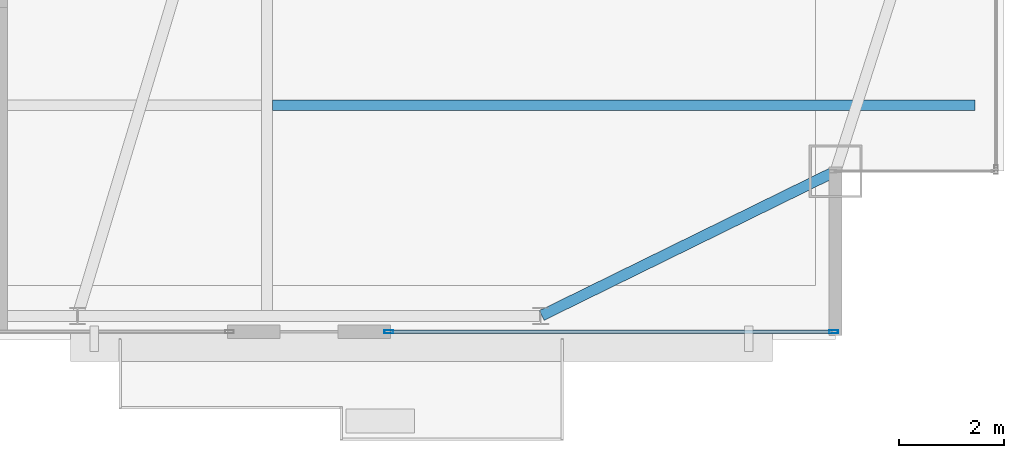
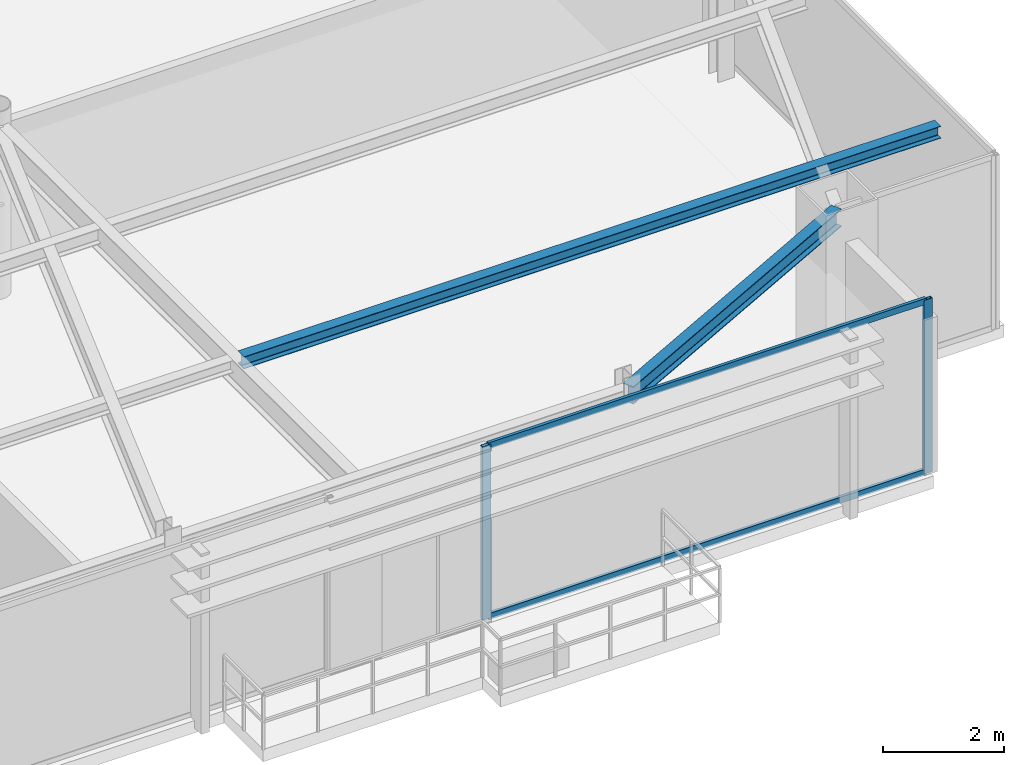
# One storey, part 11 of 21: 4 members, 2 beams, 1 element without a shape of its own.
"""IFC4 building model written with IfcOpenShell, lengths in metres."""

from ifc_helpers import new_model, si_unit, direction, frame, origin, origin_2d, place, context, subcontext, project, spatial, hollow_rectangle, i_section, extrude, source, transform, mapped, material, layer, layer_set, material_profile, profile_set, type_object, type_shapes, element, aggregate, save


model = new_model("IFC4")

# Units and contexts
model_context = context("Model", 3, precision=1e-05, world=origin(), true_north=direction((0.0, 1.0)))
body_context = subcontext(model_context, "Body", "Model", "MODEL_VIEW")
ifc_project = project(units=[si_unit("LENGTHUNIT", "METRE"), si_unit("AREAUNIT", "SQUARE_METRE"), si_unit("VOLUMEUNIT", "CUBIC_METRE"), si_unit("PLANEANGLEUNIT", "RADIAN"), si_unit("MASSUNIT", "GRAM", prefix="KILO")], contexts=[model_context])

# Site, building, storey
site_placement = place(None, origin())
site = spatial("IfcSite", under=ifc_project, at=site_placement, CompositionType="ELEMENT")
building_placement = place(site_placement, origin())
building = spatial("IfcBuilding", under=site, at=building_placement, Name="Varnel Quay Broadcast Tower", CompositionType="ELEMENT")
storey_placement = place(building_placement, frame((0.0, 0.0, 296.39990234375)))
storey = spatial("IfcBuildingStorey", under=building, at=storey_placement, Name="L74", CompositionType="ELEMENT", Elevation=296.39990234375)

# Beams
ifc_material_1 = material(Name="Structural Steel CSA G40.21 350W", Category="steel")
ifc_material_profile_1 = material_profile(ifc_material_1, i_section(OverallWidth=0.205078125, OverallDepth=0.35400390625, WebThickness=0.009521484375, FlangeThickness=0.016845703125, FilletRadius=0.012939453125, at=origin_2d()), Name="W360X79")
ifc_profile_set_1 = profile_set([ifc_material_profile_1], Name="Structural Steel CSA G40.21 350W")
beam_type_1 = type_object("IfcBeamType", Name="Beam_W360X79", PredefinedType="SPANDREL", material=ifc_profile_set_1)
shared_shape_1 = source(origin(), body_context, "Body", "SweptSolid", [
    extrude(i_section(OverallWidth=0.205078125, OverallDepth=0.35400390625, WebThickness=0.009521484375, FlangeThickness=0.016845703125, FilletRadius=0.012939453125, at=origin_2d()), origin(), (0.0, 0.0, 1.0), 6.19873046875),
])
type_shapes(beam_type_1, [shared_shape_1])
beam_1_placement = place(storey_placement, frame((47.218017578125, 13.65869140625, 3.343017578125), z_axis=(0.897602447358, 0.440805905697, 0.0), x_axis=(-0.440805905697, 0.897602447358, 0.0)))
element("IfcBeam", 1, at=beam_1_placement, inside=storey, type_object=beam_type_1, Name="L74 South Spandrel TC-S4-MC-SE", PredefinedType="SPANDREL", context=body_context, shape_type="MappedRepresentation", body=[
    mapped(shared_shape_1, transform((0.0, 0.0, 0.0), x_axis=(1.0, 0.0, 0.0), y_axis=(0.0, 1.0, 0.0), z_axis=(0.0, 0.0, 1.0), scale=1.0)),
])
ifc_material_profile_2 = material_profile(ifc_material_1, i_section(OverallWidth=0.201904296875, OverallDepth=0.2470703125, WebThickness=0.00732421875, FlangeThickness=0.010986328125, FilletRadius=0.010986328125, at=origin_2d()), Name="W250X49")
ifc_profile_set_2 = profile_set([ifc_material_profile_2], Name="Structural Steel CSA G40.21 350W")
beam_type_2 = type_object("IfcBeamType", Name="Beam_W250X49", PredefinedType="JOIST", material=ifc_profile_set_2)
shared_shape_2 = source(origin(), body_context, "Body", "SweptSolid", [
    extrude(i_section(OverallWidth=0.201904296875, OverallDepth=0.2470703125, WebThickness=0.00732421875, FlangeThickness=0.010986328125, FilletRadius=0.010986328125, at=origin_2d()), origin(), (0.0, 0.0, 1.0), 13.351318359375),
])
type_shapes(beam_type_2, [shared_shape_2])
beam_2_placement = place(storey_placement, frame((42.10107421875, 17.64990234375, 3.396484375), z_axis=(1.0, 0.0, 0.0), x_axis=(0.0, 1.0, 0.0)))
element("IfcBeam", 2, at=beam_2_placement, inside=storey, type_object=beam_type_2, Name="L74 East Floor Joist 1", PredefinedType="JOIST", context=body_context, shape_type="MappedRepresentation", body=[
    mapped(shared_shape_2, transform((0.0, 0.0, 0.0), x_axis=(1.0, 0.0, 0.0), y_axis=(0.0, 1.0, 0.0), z_axis=(0.0, 0.0, 1.0), scale=1.0)),
])

# Curtain wall, members
ifc_material_2 = material(Name="Anodised Bronze Aluminium 6063-T6", Category="aluminium")
ifc_layer = layer(ifc_material_2, 0.18994140625, Name="Anodised Bronze Aluminium 6063-T6")
ifc_layer_set = layer_set([ifc_layer], Name="Anodised Bronze Aluminium 6063-T6")
curtain_wall_type = type_object("IfcCurtainWallType", Name="CW_UpperTower", PredefinedType="NOTDEFINED", material=ifc_layer_set)
curtain_wall_placement = place(storey_placement, origin())
curtain_wall = element("IfcCurtainWall", 3, at=curtain_wall_placement, inside=storey, type_object=curtain_wall_type, Name="L74 South Unitised Curtain Wall 3", PredefinedType="NOTDEFINED")
ifc_material_profile_3 = material_profile(ifc_material_2, hollow_rectangle(XDim=0.06494140625, YDim=0.1650390625, WallThickness=0.00341796875, at=origin_2d()), Name="ALU65X165X3.5")
ifc_profile_set_3 = profile_set([ifc_material_profile_3], Name="Anodised Bronze Aluminium 6063-T6")
member_type_1 = type_object("IfcMemberType", Name="Mull_CWS-03", PredefinedType="MULLION", material=ifc_profile_set_3)
shared_shape_3 = source(origin(), body_context, "Body", "SweptSolid", [
    extrude(hollow_rectangle(XDim=0.06494140625, YDim=0.1650390625, WallThickness=0.00341796875, at=origin_2d()), origin(), (0.0, 0.0, 1.0), 3.52001953125),
])
type_shapes(member_type_1, [shared_shape_3])
member_1_placement = place(storey_placement, frame((44.3125, 13.35009765625, 0.0), z_axis=(0.0, 0.0, 1.0), x_axis=(0.0, 1.0, 0.0)))
member_1 = element("IfcMember", 4, at=member_1_placement, type_object=member_type_1, Name="CWS-03 mullion 1", PredefinedType="MULLION", context=body_context, shape_type="MappedRepresentation", body=[
    mapped(shared_shape_3, transform((0.0, 0.0, 0.0), x_axis=(1.0, 0.0, 0.0), y_axis=(0.0, 1.0, 0.0), z_axis=(0.0, 0.0, 1.0), scale=1.0)),
])
member_2_placement = place(storey_placement, frame((52.767578125, 13.35009765625, 0.0), z_axis=(0.0, 0.0, 1.0), x_axis=(0.0, 1.0, 0.0)))
member_2 = element("IfcMember", 5, at=member_2_placement, type_object=member_type_1, Name="CWS-03 mullion 2", PredefinedType="MULLION", context=body_context, shape_type="MappedRepresentation", body=[
    mapped(shared_shape_3, transform((0.0, 0.0, 0.0), x_axis=(1.0, 0.0, 0.0), y_axis=(0.0, 1.0, 0.0), z_axis=(0.0, 0.0, 1.0), scale=1.0)),
])
ifc_material_profile_4 = material_profile(ifc_material_2, hollow_rectangle(XDim=0.06005859375, YDim=0.125, WallThickness=0.0029296875, at=origin_2d()), Name="ALU60X125X3")
ifc_profile_set_4 = profile_set([ifc_material_profile_4], Name="Anodised Bronze Aluminium 6063-T6")
member_type_2 = type_object("IfcMemberType", Name="Tran_CWS-03", PredefinedType="USERDEFINED", material=ifc_profile_set_4)
shared_shape_4 = source(origin(), body_context, "Body", "SweptSolid", [
    extrude(hollow_rectangle(XDim=0.06005859375, YDim=0.125, WallThickness=0.0029296875, at=origin_2d()), origin(), (0.0, 0.0, 1.0), 8.39013671875),
])
type_shapes(member_type_2, [shared_shape_4])
member_3_placement = place(storey_placement, frame((44.344970703125, 13.35009765625, 0.030029296875), z_axis=(1.0, 0.0, 0.0), x_axis=(0.0, 1.0, 0.0)))
member_3 = element("IfcMember", 6, at=member_3_placement, type_object=member_type_2, Name="CWS-03 transom 1.1", ObjectType="TRANSOM", PredefinedType="USERDEFINED", context=body_context, shape_type="MappedRepresentation", body=[
    mapped(shared_shape_4, transform((0.0, 0.0, 0.0), x_axis=(1.0, 0.0, 0.0), y_axis=(0.0, 1.0, 0.0), z_axis=(0.0, 0.0, 1.0), scale=1.0)),
])
member_4_placement = place(storey_placement, frame((44.344970703125, 13.35009765625, 3.489990234375), z_axis=(1.0, 0.0, 0.0), x_axis=(0.0, 1.0, 0.0)))
member_4 = element("IfcMember", 7, at=member_4_placement, type_object=member_type_2, Name="CWS-03 transom 1.2", ObjectType="TRANSOM", PredefinedType="USERDEFINED", context=body_context, shape_type="MappedRepresentation", body=[
    mapped(shared_shape_4, transform((0.0, 0.0, 0.0), x_axis=(1.0, 0.0, 0.0), y_axis=(0.0, 1.0, 0.0), z_axis=(0.0, 0.0, 1.0), scale=1.0)),
])
aggregate(curtain_wall, [member_1, member_2, member_3, member_4])

save(model, "model.ifc")
